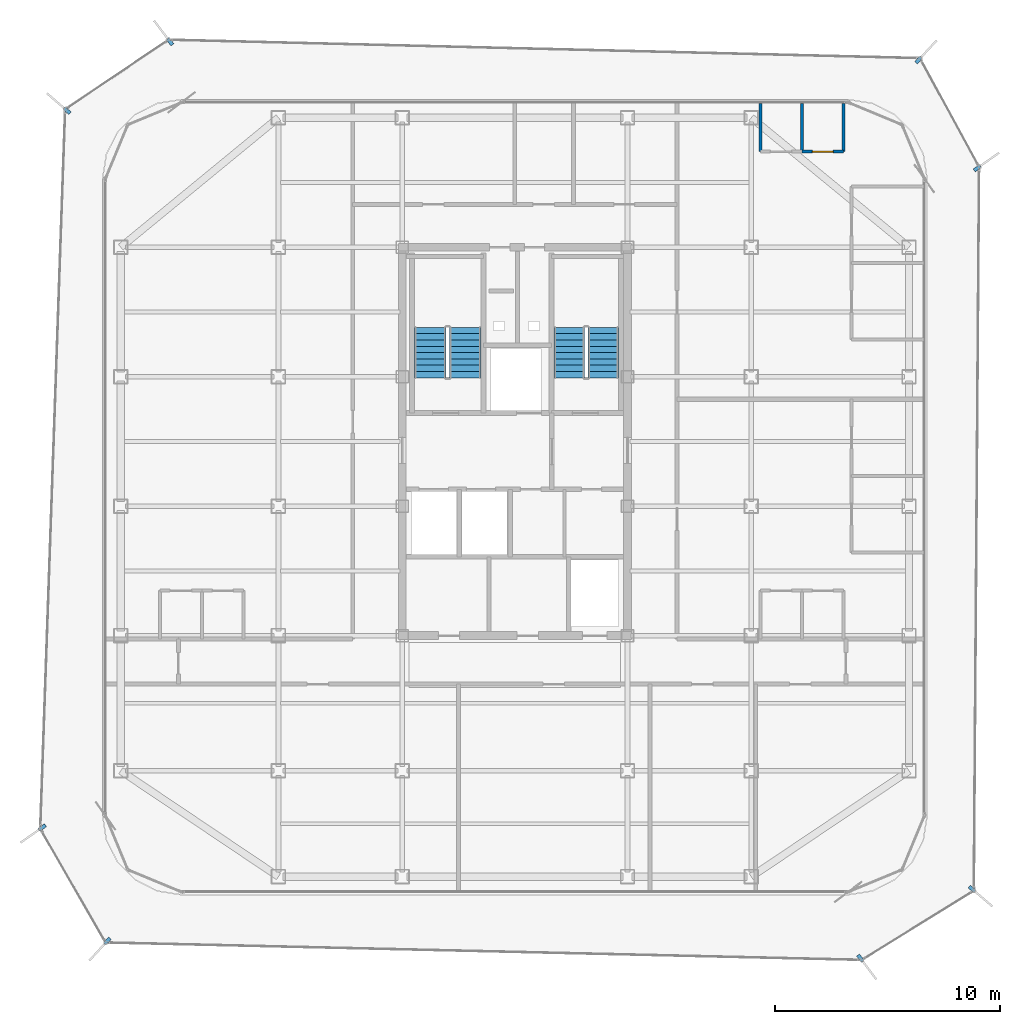
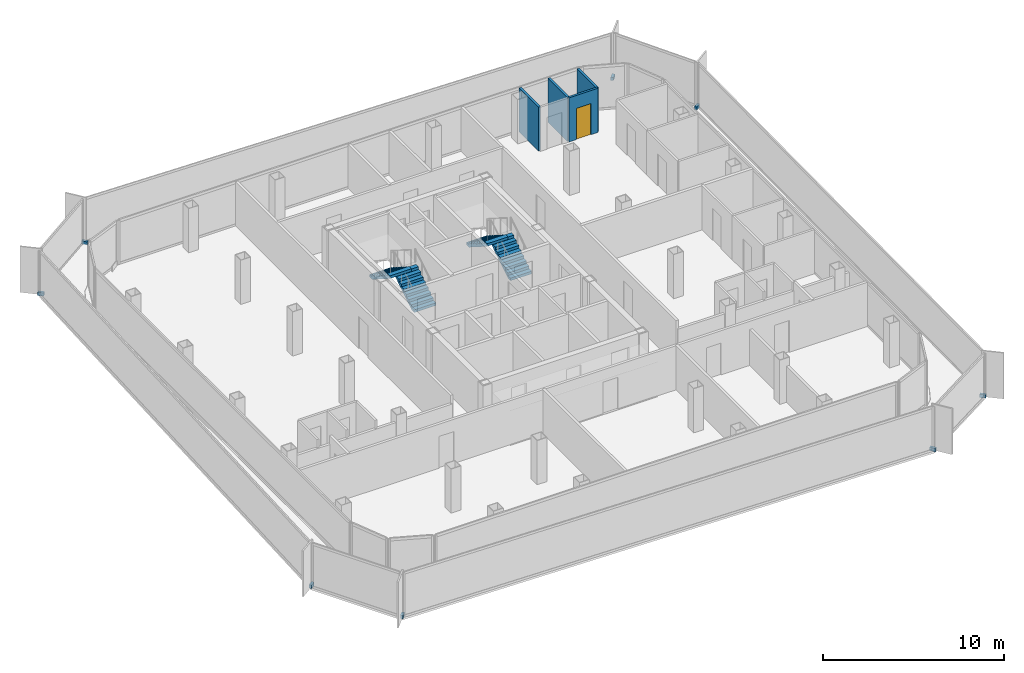
# One storey, part 12 of 15: 8 discrete accessories, 4 stair flights, 4 walls, 1 door, 1 opening, 2 elements without a shape of their own.
"""IFC4 building model written with IfcOpenShell, lengths in metres."""

from ifc_helpers import new_model, si_unit, direction, frame, frame_2d, origin, origin_2d, place, context, subcontext, project, spatial, polyline, rectangle, outline, extrude, source, transform, mapped, material, layer, layer_set, type_object, element, fill, aggregate, save


model = new_model("IFC4")

# Units and contexts
model_context = context("Model", 3, precision=1e-05, world=origin(), true_north=direction((0.0, 1.0)))
body_context = subcontext(model_context, "Body", "Model", "MODEL_VIEW")
ifc_project = project(units=[si_unit("LENGTHUNIT", "METRE"), si_unit("AREAUNIT", "SQUARE_METRE"), si_unit("VOLUMEUNIT", "CUBIC_METRE"), si_unit("PLANEANGLEUNIT", "RADIAN"), si_unit("MASSUNIT", "GRAM", prefix="KILO")], contexts=[model_context])

# Site, building, storey
site_placement = place(None, origin())
site = spatial("IfcSite", under=ifc_project, at=site_placement, CompositionType="ELEMENT")
building_placement = place(site_placement, origin())
building = spatial("IfcBuilding", under=site, at=building_placement, Name="Kolveth Station Tower", CompositionType="ELEMENT")
storey_placement = place(building_placement, frame((0.0, 0.0, 264.89990234375)))
storey = spatial("IfcBuildingStorey", under=building, at=storey_placement, Name="L76", CompositionType="ELEMENT", Elevation=264.89990234375)

# Wall, opening, door
ifc_material_1 = material(Name="Moisture-resistant gypsum partition")
ifc_layer_1 = layer(ifc_material_1, 0.135009765625)
ifc_layer_set_1 = layer_set([ifc_layer_1], Name="Moisture-resistant gypsum partition")
wall_type = type_object("IfcWallType", Name="Wall_IW-135", PredefinedType="PARTITIONING", material=ifc_layer_set_1)
wall_placement = place(storey_placement, frame((36.25, 32.989990234375, 0.0), z_axis=(0.0, 0.0, 1.0), x_axis=(1.0, 0.0, 0.0)))
wall = element("IfcWall", 1, at=wall_placement, inside=storey, type_object=wall_type, Name="L76 Partition Wall WL-L76-E2-IBHB", PredefinedType="PARTITIONING", context=body_context, shape_type="SweptSolid", body=[
    extrude(rectangle(XDim=1.85009765625, YDim=0.135009765625, at=frame_2d((0.925048828125, 0.0))), origin(), (0.0, 0.0, 1.0), 2.97998046875),
])
opening_placement = place(wall_placement, frame((0.465087890625, 0.0, 0.0)))
opening = element("IfcOpeningElement", 2, at=opening_placement, cuts=wall, Name="Opening ID2", PredefinedType="OPENING", context=body_context, shape_type="SweptSolid", body=[
    extrude(rectangle(XDim=0.919921875, YDim=2.10009765625, at=frame_2d((0.4599609375, 1.050048828125))), frame((0.0, 0.077392578125, 0.0), z_axis=(0.0, -1.0, 0.0), x_axis=(1.0, 0.0, 0.0)), (0.0, 0.0, 1.0), 0.155029296875),
])
ifc_material_2 = material(Name="Moisture-resistant hardwood leaf", Category="wood")
door_type = type_object("IfcDoorType", Name="Door_ID2", OperationType="NOTDEFINED", PredefinedType="DOOR", material=ifc_material_2)
door_placement = place(opening_placement, frame((0.919921875, 0.0, 0.0), z_axis=(0.0, 0.0, 1.0), x_axis=(-1.0, 0.0, 0.0)))
door = element("IfcDoor", 3, at=door_placement, inside=storey, type_object=door_type, Name="Penthouse Flat L76-E2 Bathroom Door", OperationType="SINGLE_SWING_LEFT", OverallHeight=2.10009765625, OverallWidth=0.919921875, PredefinedType="DOOR", context=body_context, shape_type="SweptSolid", body=[
    extrude(rectangle(XDim=0.919921875, YDim=2.10009765625, at=frame_2d((0.4599609375, 1.050048828125))), frame((0.0, 0.02490234375, 0.0), z_axis=(0.0, -1.0, 0.0), x_axis=(1.0, 0.0, 0.0)), (0.0, 0.0, 1.0), 0.050048828125),
])
fill(opening, door)

# Walls
for number, where, z_axis, x_axis, name in (
    (4, (34.39990234375, 32.989990234375, 0.0), (0.0, 0.0, 1.0), (0.0, 1.0, 0.0), "L76 Partition Wall WL-L76-E2-IBV0"),
    (5, (36.25, 32.989990234375, 0.0), (0.0, 0.0, 1.0), (0.0, 1.0, 0.0), "L76 Partition Wall WL-L76-E2-IBV1"),
    (6, (38.10009765625, 32.989990234375, 0.0), (0.0, 0.0, 1.0), (0.0, 1.0, 0.0), "L76 Partition Wall WL-L76-E2-IBV2"),
):
    element("IfcWall", number, at=place(storey_placement, frame(where, z_axis=z_axis, x_axis=x_axis)), inside=storey, type_object=wall_type, Name=name, PredefinedType="PARTITIONING", context=body_context, shape_type="SweptSolid", body=[
        extrude(rectangle(XDim=2.14990234375, YDim=0.135009765625, at=frame_2d((1.074951171875, 0.0))), origin(), (0.0, 0.0, 1.0), 2.97998046875),
    ])

# Stair, stair flights
ifc_material_3 = material(Name="Concrete C40/50", Category="concrete")
stair_type_1 = type_object("IfcStairType", Name="Stair_ST1", PredefinedType="HALF_TURN_STAIR", material=ifc_material_3)
stair_1_placement = place(storey_placement, origin())
stair_1 = element("IfcStair", 7, at=stair_1_placement, inside=storey, type_object=stair_type_1, Name="L76 Tower Exit Stair ST1", PredefinedType="HALF_TURN_STAIR")
ifc_layer_2 = layer(ifc_material_3, 0.179931640625)
ifc_layer_set_2 = layer_set([ifc_layer_2], Name="Concrete C40/50")
stair_flight_type_1 = type_object("IfcStairFlightType", Name="Flight_ST1", PredefinedType="STRAIGHT", material=ifc_layer_set_2)
stair_flight_1_placement = place(storey_placement, frame((21.300048828125, 22.949951171875, 0.0), z_axis=(0.0, 0.0, 1.0), x_axis=(0.0, 1.0, 0.0)))
stair_flight_1 = element("IfcStairFlight", 8, at=stair_flight_1_placement, type_object=stair_flight_type_1, Name="ST1 flight 1", NumberOfRisers=9, NumberOfTreads=8, PredefinedType="STRAIGHT", RiserHeight=0.177777778, TreadLength=0.28, context=body_context, shape_type="SweptSolid", body=[
    extrude(outline(polyline([(0.0, 0.0), (0.0, 0.177734375), (0.280029296875, 0.177734375), (0.280029296875, 0.35546875), (0.56005859375, 0.35546875), (0.56005859375, 0.533447265625), (0.840087890625, 0.533447265625), (0.840087890625, 0.711181640625), (1.1201171875, 0.711181640625), (1.1201171875, 0.888916015625), (1.39990234375, 0.888916015625), (1.39990234375, 1.066650390625), (1.679931640625, 1.066650390625), (1.679931640625, 1.244384765625), (1.9599609375, 1.244384765625), (1.9599609375, 1.422119140625), (2.239990234375, 1.422119140625), (2.239990234375, 1.60009765625), (2.239990234375, 1.24462890625), (0.27978515625, 0.0), (0.0, 0.0)])), frame((0.0, 0.699951171875, 0.0), z_axis=(0.0, -1.0, 0.0), x_axis=(1.0, 0.0, 0.0)), (0.0, 0.0, 1.0), 1.39990234375),
])
stair_flight_2_placement = place(storey_placement, frame((19.739990234375, 25.18994140625, 1.60009765625), z_axis=(0.0, 0.0, 1.0), x_axis=(0.0, -1.0, 0.0)))
stair_flight_2 = element("IfcStairFlight", 9, at=stair_flight_2_placement, type_object=stair_flight_type_1, Name="ST1 flight 2", NumberOfRisers=9, NumberOfTreads=8, PredefinedType="STRAIGHT", RiserHeight=0.177777778, TreadLength=0.28, context=body_context, shape_type="SweptSolid", body=[
    extrude(outline(polyline([(0.0, 0.0), (0.0, 0.177734375), (0.280029296875, 0.177734375), (0.280029296875, 0.35546875), (0.56005859375, 0.35546875), (0.56005859375, 0.533447265625), (0.840087890625, 0.533447265625), (0.840087890625, 0.711181640625), (1.1201171875, 0.711181640625), (1.1201171875, 0.888916015625), (1.39990234375, 0.888916015625), (1.39990234375, 1.066650390625), (1.679931640625, 1.066650390625), (1.679931640625, 1.244384765625), (1.9599609375, 1.244384765625), (1.9599609375, 1.422119140625), (2.239990234375, 1.422119140625), (2.239990234375, 1.60009765625), (2.239990234375, 1.24462890625), (0.27978515625, 0.0), (0.0, 0.0)])), frame((0.0, 0.699951171875, 0.0), z_axis=(0.0, -1.0, 0.0), x_axis=(1.0, 0.0, 0.0)), (0.0, 0.0, 1.0), 1.39990234375),
])
aggregate(stair_1, [stair_flight_1, stair_flight_2])

stair_type_2 = type_object("IfcStairType", Name="Stair_ST2", PredefinedType="HALF_TURN_STAIR", material=ifc_material_3)
stair_2_placement = place(storey_placement, origin())
stair_2 = element("IfcStair", 10, at=stair_2_placement, inside=storey, type_object=stair_type_2, Name="L76 Tower Exit Stair ST2", PredefinedType="HALF_TURN_STAIR")
ifc_layer_3 = layer(ifc_material_3, 0.179931640625)
ifc_layer_set_3 = layer_set([ifc_layer_3], Name="Concrete C40/50")
stair_flight_type_2 = type_object("IfcStairFlightType", Name="Flight_ST2", PredefinedType="STRAIGHT", material=ifc_layer_set_3)
stair_flight_3_placement = place(storey_placement, frame((27.425048828125, 22.949951171875, 0.0), z_axis=(0.0, 0.0, 1.0), x_axis=(0.0, 1.0, 0.0)))
stair_flight_3 = element("IfcStairFlight", 11, at=stair_flight_3_placement, type_object=stair_flight_type_2, Name="ST2 flight 1", NumberOfRisers=9, NumberOfTreads=8, PredefinedType="STRAIGHT", RiserHeight=0.177777778, TreadLength=0.28, context=body_context, shape_type="SweptSolid", body=[
    extrude(outline(polyline([(0.0, 0.0), (0.0, 0.177734375), (0.280029296875, 0.177734375), (0.280029296875, 0.35546875), (0.56005859375, 0.35546875), (0.56005859375, 0.533447265625), (0.840087890625, 0.533447265625), (0.840087890625, 0.711181640625), (1.1201171875, 0.711181640625), (1.1201171875, 0.888916015625), (1.39990234375, 0.888916015625), (1.39990234375, 1.066650390625), (1.679931640625, 1.066650390625), (1.679931640625, 1.244384765625), (1.9599609375, 1.244384765625), (1.9599609375, 1.422119140625), (2.239990234375, 1.422119140625), (2.239990234375, 1.60009765625), (2.239990234375, 1.24462890625), (0.27978515625, 0.0), (0.0, 0.0)])), frame((0.0, 0.675048828125, 0.0), z_axis=(0.0, -1.0, 0.0), x_axis=(1.0, 0.0, 0.0)), (0.0, 0.0, 1.0), 1.35009765625),
])
stair_flight_4_placement = place(storey_placement, frame((25.9150390625, 25.18994140625, 1.60009765625), z_axis=(0.0, 0.0, 1.0), x_axis=(0.0, -1.0, 0.0)))
stair_flight_4 = element("IfcStairFlight", 12, at=stair_flight_4_placement, type_object=stair_flight_type_2, Name="ST2 flight 2", NumberOfRisers=9, NumberOfTreads=8, PredefinedType="STRAIGHT", RiserHeight=0.177777778, TreadLength=0.28, context=body_context, shape_type="SweptSolid", body=[
    extrude(outline(polyline([(0.0, 0.0), (0.0, 0.177734375), (0.280029296875, 0.177734375), (0.280029296875, 0.35546875), (0.56005859375, 0.35546875), (0.56005859375, 0.533447265625), (0.840087890625, 0.533447265625), (0.840087890625, 0.711181640625), (1.1201171875, 0.711181640625), (1.1201171875, 0.888916015625), (1.39990234375, 0.888916015625), (1.39990234375, 1.066650390625), (1.679931640625, 1.066650390625), (1.679931640625, 1.244384765625), (1.9599609375, 1.244384765625), (1.9599609375, 1.422119140625), (2.239990234375, 1.422119140625), (2.239990234375, 1.60009765625), (2.239990234375, 1.24462890625), (0.27978515625, 0.0), (0.0, 0.0)])), frame((0.0, 0.675048828125, 0.0), z_axis=(0.0, -1.0, 0.0), x_axis=(1.0, 0.0, 0.0)), (0.0, 0.0, 1.0), 1.35009765625),
])
aggregate(stair_2, [stair_flight_3, stair_flight_4])

# Discrete accessories
ifc_material_4 = material(Name="Steel S355", Category="steel")
discrete_accessory_type = type_object("IfcDiscreteAccessoryType", Name="Bracket_BK1", PredefinedType="BRACKET", material=ifc_material_4)
shared_shape = source(origin(), body_context, "Body", "SweptSolid", [
    extrude(rectangle(XDim=0.35009765625, YDim=0.159912109375, at=origin_2d()), origin(), (0.0, 0.0, 1.0), 0.219970703125),
])
for number, where, z_axis, x_axis, name in (
    (13, (38.844970703125, -2.822998046875, -0.06005859375), (0.0, 0.0, 1.0), (0.599722140278, -0.800208319415, 0.0), "L76 Double-Skin Radial Tie Bracket 1"),
    (14, (43.81103515625, 0.243896484375, -0.06005859375), (0.0, 0.0, 1.0), (0.759271307335, -0.650774217266, 0.0), "L76 Double-Skin Radial Tie Bracket 2"),
    (15, (44.0390625, 32.260009765625, -0.06005859375), (0.0, 0.0, 1.0), (0.814824373094, 0.579707892832, 0.0), "L76 Double-Skin Radial Tie Bracket 3"),
    (16, (41.428955078125, 37.06494140625, -0.06005859375), (0.0, 0.0, 1.0), (0.678416162135, 0.734677827999, 0.0), "L76 Double-Skin Radial Tie Bracket 4"),
    (17, (8.18701171875, 37.8740234375, -0.06005859375), (0.0, 0.0, 1.0), (-0.603625519008, 0.797267980545, 0.0), "L76 Double-Skin Radial Tie Bracket 5"),
    (18, (3.614013671875, 34.81201171875, -0.06005859375), (0.0, 0.0, 1.0), (-0.757109087531, 0.653288473477, 0.0), "L76 Double-Skin Radial Tie Bracket 6"),
    (19, (2.514892578125, 2.98388671875, -0.06005859375), (0.0, 0.0, 1.0), (-0.819652272182, -0.572861373028, 0.0), "L76 Double-Skin Radial Tie Bracket 7"),
    (20, (5.403076171875, -2.05810546875, -0.06005859375), (0.0, 0.0, 1.0), (-0.676361912062, -0.736569456271, 0.0), "L76 Double-Skin Radial Tie Bracket 8"),
):
    element("IfcDiscreteAccessory", number, at=place(storey_placement, frame(where, z_axis=z_axis, x_axis=x_axis)), inside=storey, type_object=discrete_accessory_type, Name=name, PredefinedType="BRACKET", context=body_context, shape_type="MappedRepresentation", body=[
        mapped(shared_shape, transform((0.0, 0.0, 0.0), x_axis=(1.0, 0.0, 0.0), y_axis=(0.0, 1.0, 0.0), z_axis=(0.0, 0.0, 1.0), scale=1.0)),
    ])

save(model, "model.ifc")
